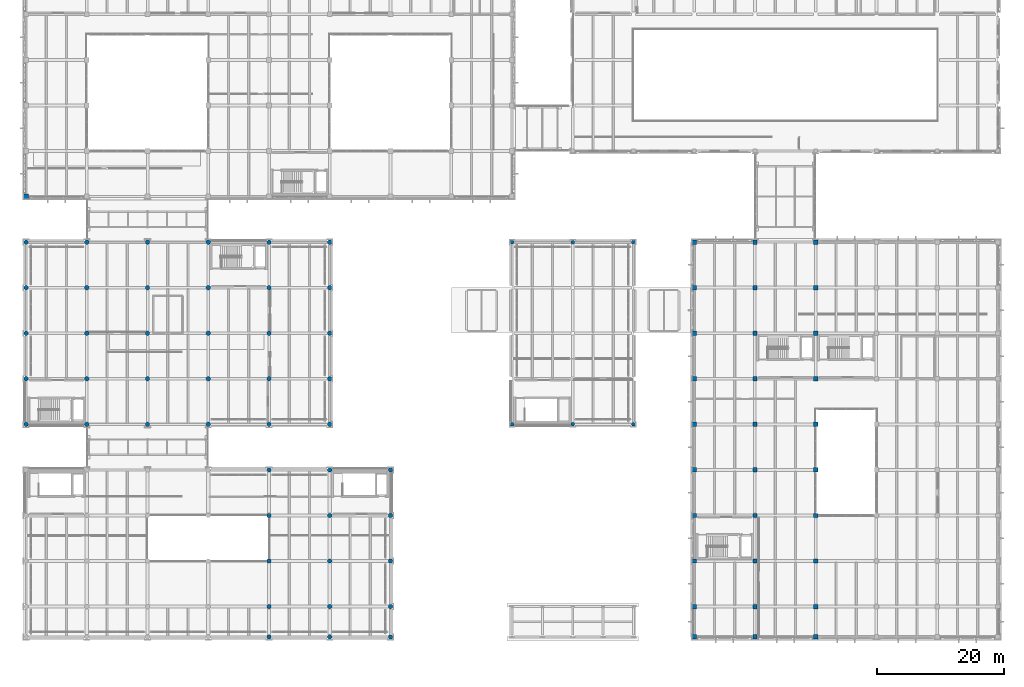
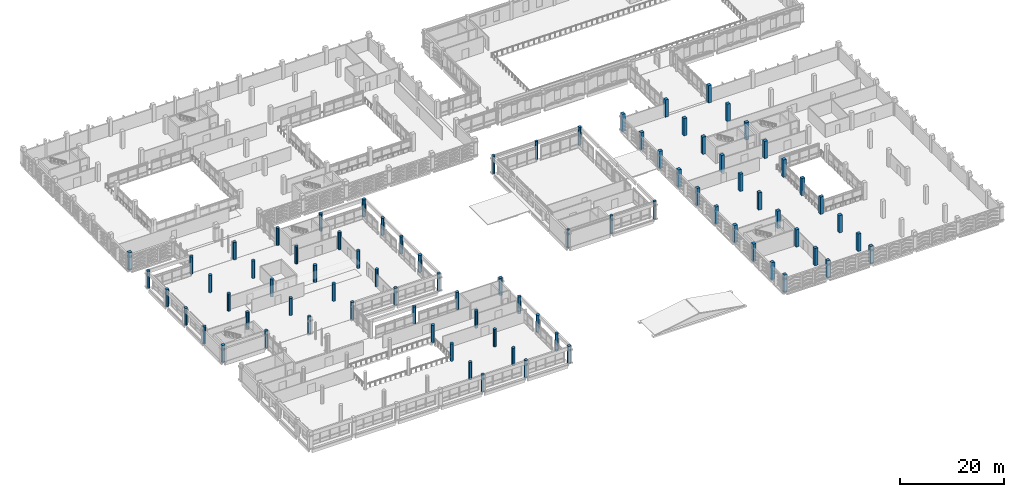
# One storey, part 3 of 180: 82 columns.
"""IFC4 building model written with IfcOpenShell, lengths in metres."""

from ifc_helpers import new_model, si_unit, direction, frame, origin, origin_2d, place, context, subcontext, project, spatial, rectangle, circle, extrude, material, material_profile, profile_set, type_object, element, save


model = new_model("IFC4")

# Units and contexts
model_context = context("Model", 3, precision=1e-05, world=origin(), true_north=direction((0.0, 1.0)))
body_context = subcontext(model_context, "Body", "Model", "MODEL_VIEW")
ifc_project = project(units=[si_unit("LENGTHUNIT", "METRE"), si_unit("AREAUNIT", "SQUARE_METRE"), si_unit("VOLUMEUNIT", "CUBIC_METRE"), si_unit("PLANEANGLEUNIT", "RADIAN"), si_unit("MASSUNIT", "GRAM", prefix="KILO")], contexts=[model_context])

# Site, building, storey
site_placement = place(None, origin())
site = spatial("IfcSite", under=ifc_project, at=site_placement, CompositionType="ELEMENT")
building_placement = place(site_placement, origin())
building = spatial("IfcBuilding", under=site, at=building_placement, Name="Asteropetra Specialist Clinic", CompositionType="ELEMENT")
storey_placement = place(building_placement, frame((0.0, 0.0, 4.419921875)))
storey = spatial("IfcBuildingStorey", under=building, at=storey_placement, Name="L01", CompositionType="ELEMENT", Elevation=4.419921875)

# Columns
ifc_material_1 = material(Name="Concrete C35/45", Category="concrete")
ifc_material_profile_1 = material_profile(ifc_material_1, circle(Radius=0.35009765625, at=origin_2d()), Name="RCC D700")
ifc_profile_set_1 = profile_set([ifc_material_profile_1], Name="Concrete C35/45")
column_type_1 = type_object("IfcColumnType", Name="COL-DORIC700", PredefinedType="COLUMN", material=ifc_profile_set_1)
for number, where, z_axis, x_axis, name in (
    (1, (0.0, 33.60009765625, 0.0), (0.0, 0.0, 1.0), (1.0, 0.0, 0.0), "Column CCOL13-0018"),
    (2, (0.0, 40.800048828125, 0.0), (0.0, 0.0, 1.0), (1.0, 0.0, 0.0), "Column CCOL13-0023"),
    (3, (0.0, 48.0, 0.0), (0.0, 0.0, 1.0), (1.0, 0.0, 0.0), "Column CCOL13-0028"),
    (4, (0.0, 55.199951171875, 0.0), (0.0, 0.0, 1.0), (1.0, 0.0, 0.0), "Column CCOL13-0033"),
    (5, (0.0, 62.39990234375, 0.0), (0.0, 0.0, 1.0), (1.0, 0.0, 0.0), "Column CCOL13-0038"),
    (6, (9.60009765625, 33.60009765625, 0.0), (0.0, 0.0, 1.0), (1.0, 0.0, 0.0), "Column CCOL13-0098"),
    (7, (9.60009765625, 40.800048828125, 0.0), (0.0, 0.0, 1.0), (1.0, 0.0, 0.0), "Column CCOL13-0103"),
    (8, (9.60009765625, 48.0, 0.0), (0.0, 0.0, 1.0), (1.0, 0.0, 0.0), "Column CCOL13-0108"),
    (9, (9.60009765625, 55.199951171875, 0.0), (0.0, 0.0, 1.0), (1.0, 0.0, 0.0), "Column CCOL13-0113"),
    (10, (9.60009765625, 62.39990234375, 0.0), (0.0, 0.0, 1.0), (1.0, 0.0, 0.0), "Column CCOL13-0118"),
    (11, (19.199951171875, 33.60009765625, 0.0), (0.0, 0.0, 1.0), (1.0, 0.0, 0.0), "Column CCOL13-0202"),
    (12, (19.199951171875, 40.800048828125, 0.0), (0.0, 0.0, 1.0), (1.0, 0.0, 0.0), "Column CCOL13-0207"),
    (13, (19.199951171875, 48.0, 0.0), (0.0, 0.0, 1.0), (1.0, 0.0, 0.0), "Column CCOL13-0212"),
    (14, (19.199951171875, 55.199951171875, 0.0), (0.0, 0.0, 1.0), (1.0, 0.0, 0.0), "Column CCOL13-0217"),
    (15, (19.199951171875, 62.39990234375, 0.0), (0.0, 0.0, 1.0), (1.0, 0.0, 0.0), "Column CCOL13-0222"),
    (16, (28.800048828125, 33.60009765625, 0.0), (0.0, 0.0, 1.0), (1.0, 0.0, 0.0), "Column CCOL13-0294"),
    (17, (28.800048828125, 40.800048828125, 0.0), (0.0, 0.0, 1.0), (1.0, 0.0, 0.0), "Column CCOL13-0299"),
    (18, (28.800048828125, 48.0, 0.0), (0.0, 0.0, 1.0), (1.0, 0.0, 0.0), "Column CCOL13-0304"),
    (19, (28.800048828125, 55.199951171875, 0.0), (0.0, 0.0, 1.0), (1.0, 0.0, 0.0), "Column CCOL13-0309"),
    (20, (28.800048828125, 62.39990234375, 0.0), (0.0, 0.0, 1.0), (1.0, 0.0, 0.0), "Column CCOL13-0314"),
    (21, (38.39990234375, 0.0, 0.0), (0.0, 0.0, 1.0), (1.0, 0.0, 0.0), "Column CCOL13-0359"),
    (22, (38.39990234375, 4.800048828125, 0.0), (0.0, 0.0, 1.0), (1.0, 0.0, 0.0), "Column CCOL13-0362"),
    (23, (38.39990234375, 12.0, 0.0), (0.0, 0.0, 1.0), (1.0, 0.0, 0.0), "Column CCOL13-0365"),
    (24, (38.39990234375, 19.199951171875, 0.0), (0.0, 0.0, 1.0), (1.0, 0.0, 0.0), "Column CCOL13-0368"),
    (25, (38.39990234375, 26.39990234375, 0.0), (0.0, 0.0, 1.0), (1.0, 0.0, 0.0), "Column CCOL13-0371"),
    (26, (38.39990234375, 33.60009765625, 0.0), (0.0, 0.0, 1.0), (1.0, 0.0, 0.0), "Column CCOL13-0374"),
    (27, (38.39990234375, 40.800048828125, 0.0), (0.0, 0.0, 1.0), (1.0, 0.0, 0.0), "Column CCOL13-0379"),
    (28, (38.39990234375, 48.0, 0.0), (0.0, 0.0, 1.0), (1.0, 0.0, 0.0), "Column CCOL13-0384"),
    (29, (38.39990234375, 55.199951171875, 0.0), (0.0, 0.0, 1.0), (1.0, 0.0, 0.0), "Column CCOL13-0389"),
    (30, (38.39990234375, 62.39990234375, 0.0), (0.0, 0.0, 1.0), (1.0, 0.0, 0.0), "Column CCOL13-0394"),
    (31, (48.0, 0.0, 0.0), (0.0, 0.0, 1.0), (1.0, 0.0, 0.0), "Column CCOL13-0439"),
    (32, (48.0, 4.800048828125, 0.0), (0.0, 0.0, 1.0), (1.0, 0.0, 0.0), "Column CCOL13-0442"),
    (33, (48.0, 12.0, 0.0), (0.0, 0.0, 1.0), (1.0, 0.0, 0.0), "Column CCOL13-0445"),
    (34, (48.0, 19.199951171875, 0.0), (0.0, 0.0, 1.0), (1.0, 0.0, 0.0), "Column CCOL13-0448"),
    (35, (48.0, 26.39990234375, 0.0), (0.0, 0.0, 1.0), (1.0, 0.0, 0.0), "Column CCOL13-0451"),
    (36, (48.0, 33.60009765625, 0.0), (0.0, 0.0, 1.0), (1.0, 0.0, 0.0), "Column CCOL13-0454"),
    (37, (48.0, 40.800048828125, 0.0), (0.0, 0.0, 1.0), (1.0, 0.0, 0.0), "Column CCOL13-0457"),
    (38, (48.0, 48.0, 0.0), (0.0, 0.0, 1.0), (1.0, 0.0, 0.0), "Column CCOL13-0460"),
    (39, (48.0, 55.199951171875, 0.0), (0.0, 0.0, 1.0), (1.0, 0.0, 0.0), "Column CCOL13-0463"),
    (40, (48.0, 62.39990234375, 0.0), (0.0, 0.0, 1.0), (1.0, 0.0, 0.0), "Column CCOL13-0466"),
    (41, (57.60009765625, 0.0, 0.0), (0.0, 0.0, 1.0), (1.0, 0.0, 0.0), "Column CCOL13-0497"),
    (42, (57.60009765625, 4.800048828125, 0.0), (0.0, 0.0, 1.0), (1.0, 0.0, 0.0), "Column CCOL13-0500"),
    (43, (57.60009765625, 12.0, 0.0), (0.0, 0.0, 1.0), (1.0, 0.0, 0.0), "Column CCOL13-0503"),
    (44, (57.60009765625, 19.199951171875, 0.0), (0.0, 0.0, 1.0), (1.0, 0.0, 0.0), "Column CCOL13-0506"),
    (45, (57.60009765625, 26.39990234375, 0.0), (0.0, 0.0, 1.0), (1.0, 0.0, 0.0), "Column CCOL13-0509"),
):
    element("IfcColumn", number, at=place(storey_placement, frame(where, z_axis=z_axis, x_axis=x_axis)), inside=storey, type_object=column_type_1, Name=name, PredefinedType="COLUMN", context=body_context, shape_type="SweptSolid", body=[
        extrude(circle(Radius=0.35009765625, at=origin_2d()), origin(), (0.0, 0.0, 1.0), 4.080078125),
    ])
ifc_material_2 = material(Name="Concrete C35/45", Category="concrete")
ifc_material_profile_2 = material_profile(ifc_material_2, circle(Radius=0.300048828125, at=origin_2d()), Name="RCC D600")
ifc_profile_set_2 = profile_set([ifc_material_profile_2], Name="Concrete C35/45")
column_type_2 = type_object("IfcColumnType", Name="COL-IONIC600", PredefinedType="COLUMN", material=ifc_profile_set_2)
for number, where, z_axis, x_axis, name in (
    (46, (76.800048828125, 33.60009765625, 0.0), (0.0, 0.0, 1.0), (1.0, 0.0, 0.0), "Column CCOL14-0558"),
    (47, (76.800048828125, 62.39990234375, 0.0), (0.0, 0.0, 1.0), (1.0, 0.0, 0.0), "Column CCOL14-0563"),
    (48, (86.39990234375, 33.60009765625, 0.0), (0.0, 0.0, 1.0), (1.0, 0.0, 0.0), "Column CCOL14-0595"),
    (49, (86.39990234375, 62.39990234375, 0.0), (0.0, 0.0, 1.0), (1.0, 0.0, 0.0), "Column CCOL14-0600"),
    (50, (96.0, 33.60009765625, 0.0), (0.0, 0.0, 1.0), (1.0, 0.0, 0.0), "Column CCOL14-0617"),
    (51, (96.0, 62.39990234375, 0.0), (0.0, 0.0, 1.0), (1.0, 0.0, 0.0), "Column CCOL14-0622"),
):
    element("IfcColumn", number, at=place(storey_placement, frame(where, z_axis=z_axis, x_axis=x_axis)), inside=storey, type_object=column_type_2, Name=name, PredefinedType="COLUMN", context=body_context, shape_type="SweptSolid", body=[
        extrude(circle(Radius=0.300048828125, at=origin_2d()), origin(), (0.0, 0.0, 1.0), 4.280029296875),
    ])
ifc_material_3 = material(Name="Concrete C35/45", Category="concrete")
ifc_material_profile_3 = material_profile(ifc_material_3, rectangle(XDim=0.699951171875, YDim=0.699951171875, at=origin_2d()), Name="RC 700x700")
ifc_profile_set_3 = profile_set([ifc_material_profile_3], Name="Concrete C35/45")
column_type_3 = type_object("IfcColumnType", Name="COL-RC700", PredefinedType="COLUMN", material=ifc_profile_set_3)
for number, where, z_axis, x_axis, name in (
    (52, (105.60009765625, 0.0, 0.0), (0.0, 0.0, 1.0), (1.0, 0.0, 0.0), "Column CCOL03-0635"),
    (53, (105.60009765625, 4.800048828125, 0.0), (0.0, 0.0, 1.0), (1.0, 0.0, 0.0), "Column CCOL03-0640"),
    (54, (105.60009765625, 12.0, 0.0), (0.0, 0.0, 1.0), (1.0, 0.0, 0.0), "Column CCOL03-0645"),
    (55, (105.60009765625, 19.199951171875, 0.0), (0.0, 0.0, 1.0), (1.0, 0.0, 0.0), "Column CCOL03-0650"),
    (56, (105.60009765625, 26.39990234375, 0.0), (0.0, 0.0, 1.0), (1.0, 0.0, 0.0), "Column CCOL03-0655"),
    (57, (105.60009765625, 33.60009765625, 0.0), (0.0, 0.0, 1.0), (1.0, 0.0, 0.0), "Column CCOL03-0660"),
    (58, (105.60009765625, 40.800048828125, 0.0), (0.0, 0.0, 1.0), (1.0, 0.0, 0.0), "Column CCOL03-0665"),
    (59, (105.60009765625, 48.0, 0.0), (0.0, 0.0, 1.0), (1.0, 0.0, 0.0), "Column CCOL03-0670"),
    (60, (105.60009765625, 55.199951171875, 0.0), (0.0, 0.0, 1.0), (1.0, 0.0, 0.0), "Column CCOL03-0675"),
    (61, (105.60009765625, 62.39990234375, 0.0), (0.0, 0.0, 1.0), (1.0, 0.0, 0.0), "Column CCOL03-0677"),
    (62, (115.199951171875, 0.0, 0.0), (0.0, 0.0, 1.0), (1.0, 0.0, 0.0), "Column CCOL03-0685"),
    (63, (115.199951171875, 4.800048828125, 0.0), (0.0, 0.0, 1.0), (1.0, 0.0, 0.0), "Column CCOL03-0690"),
    (64, (115.199951171875, 12.0, 0.0), (0.0, 0.0, 1.0), (1.0, 0.0, 0.0), "Column CCOL03-0695"),
    (65, (115.199951171875, 19.199951171875, 0.0), (0.0, 0.0, 1.0), (1.0, 0.0, 0.0), "Column CCOL03-0700"),
    (66, (115.199951171875, 26.39990234375, 0.0), (0.0, 0.0, 1.0), (1.0, 0.0, 0.0), "Column CCOL03-0705"),
    (67, (115.199951171875, 33.60009765625, 0.0), (0.0, 0.0, 1.0), (1.0, 0.0, 0.0), "Column CCOL03-0710"),
    (68, (115.199951171875, 40.800048828125, 0.0), (0.0, 0.0, 1.0), (1.0, 0.0, 0.0), "Column CCOL03-0715"),
    (69, (115.199951171875, 48.0, 0.0), (0.0, 0.0, 1.0), (1.0, 0.0, 0.0), "Column CCOL03-0720"),
    (70, (115.199951171875, 55.199951171875, 0.0), (0.0, 0.0, 1.0), (1.0, 0.0, 0.0), "Column CCOL03-0725"),
    (71, (115.199951171875, 62.39990234375, 0.0), (0.0, 0.0, 1.0), (1.0, 0.0, 0.0), "Column CCOL03-0727"),
    (72, (124.800048828125, 0.0, 0.0), (0.0, 0.0, 1.0), (1.0, 0.0, 0.0), "Column CCOL03-0747"),
    (73, (124.800048828125, 4.800048828125, 0.0), (0.0, 0.0, 1.0), (1.0, 0.0, 0.0), "Column CCOL03-0752"),
    (74, (124.800048828125, 12.0, 0.0), (0.0, 0.0, 1.0), (1.0, 0.0, 0.0), "Column CCOL03-0757"),
    (75, (124.800048828125, 19.199951171875, 0.0), (0.0, 0.0, 1.0), (1.0, 0.0, 0.0), "Column CCOL03-0762"),
    (76, (124.800048828125, 26.39990234375, 0.0), (0.0, 0.0, 1.0), (1.0, 0.0, 0.0), "Column CCOL03-0767"),
    (77, (124.800048828125, 33.60009765625, 0.0), (0.0, 0.0, 1.0), (1.0, 0.0, 0.0), "Column CCOL03-0772"),
    (78, (124.800048828125, 40.800048828125, 0.0), (0.0, 0.0, 1.0), (1.0, 0.0, 0.0), "Column CCOL03-0777"),
    (79, (124.800048828125, 48.0, 0.0), (0.0, 0.0, 1.0), (1.0, 0.0, 0.0), "Column CCOL03-0782"),
    (80, (124.800048828125, 55.199951171875, 0.0), (0.0, 0.0, 1.0), (1.0, 0.0, 0.0), "Column CCOL03-0787"),
    (81, (124.800048828125, 62.39990234375, 0.0), (0.0, 0.0, 1.0), (1.0, 0.0, 0.0), "Column CCOL03-0789"),
):
    element("IfcColumn", number, at=place(storey_placement, frame(where, z_axis=z_axis, x_axis=x_axis)), inside=storey, type_object=column_type_3, Name=name, PredefinedType="COLUMN", context=body_context, shape_type="SweptSolid", body=[
        extrude(rectangle(XDim=0.699951171875, YDim=0.699951171875, at=origin_2d()), origin(), (0.0, 0.0, 1.0), 4.080078125),
    ])
ifc_material_4 = material(Name="Concrete C35/45", Category="concrete")
ifc_material_profile_4 = material_profile(ifc_material_4, rectangle(XDim=0.75, YDim=0.75, at=origin_2d()), Name="RC 750x750")
ifc_profile_set_4 = profile_set([ifc_material_profile_4], Name="Concrete C35/45")
column_type_4 = type_object("IfcColumnType", Name="COL-RC750", PredefinedType="COLUMN", material=ifc_profile_set_4)
column_placement = place(storey_placement, frame((0.0, 69.60009765625, 0.0), z_axis=(0.0, 0.0, 1.0), x_axis=(1.0, 0.0, 0.0)))
element("IfcColumn", 82, at=column_placement, inside=storey, type_object=column_type_4, Name="Column CCOL02-0042", PredefinedType="COLUMN", context=body_context, shape_type="SweptSolid", body=[
    extrude(rectangle(XDim=0.75, YDim=0.75, at=origin_2d()), origin(), (0.0, 0.0, 1.0), 4.080078125),
])

save(model, "model.ifc")
